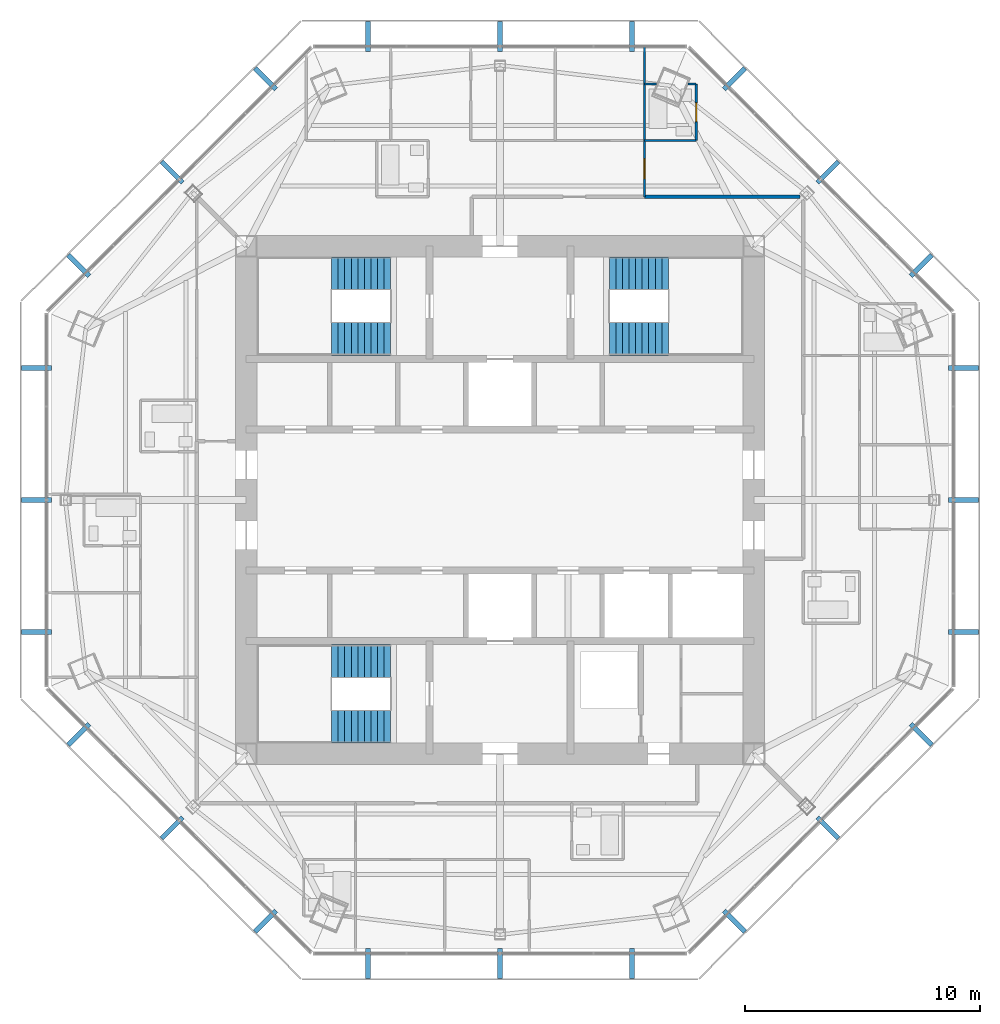
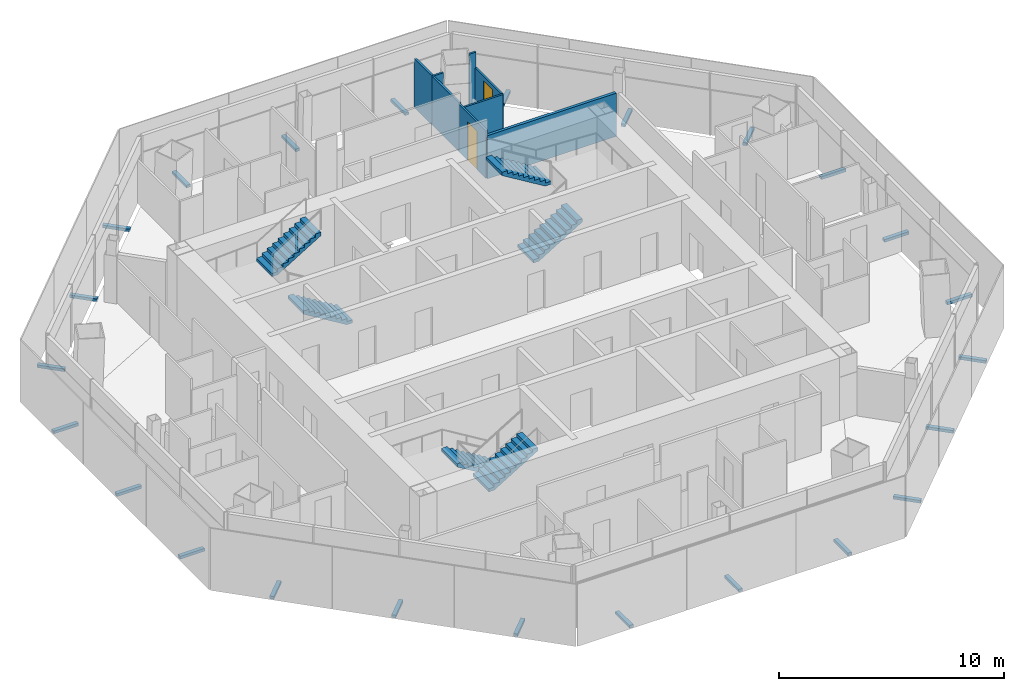
# One storey, part 12 of 15: 24 discrete accessories, 8 walls, 6 stair flights, 2 doors, 2 openings, 3 elements without a shape of their own.
"""IFC4 building model written with IfcOpenShell, lengths in metres."""

from ifc_helpers import new_model, si_unit, direction, frame, frame_2d, origin, origin_2d, place, context, subcontext, project, spatial, polyline, rectangle, outline, extrude, source, transform, mapped, material, layer, layer_set, type_object, type_shapes, element, fill, aggregate, save


model = new_model("IFC4")

# Units and contexts
model_context = context("Model", 3, precision=1e-05, world=origin(), true_north=direction((0.0, 1.0)))
body_context = subcontext(model_context, "Body", "Model", "MODEL_VIEW")
ifc_project = project(units=[si_unit("LENGTHUNIT", "METRE"), si_unit("AREAUNIT", "SQUARE_METRE"), si_unit("VOLUMEUNIT", "CUBIC_METRE"), si_unit("PLANEANGLEUNIT", "RADIAN"), si_unit("MASSUNIT", "GRAM", prefix="KILO")], contexts=[model_context])

# Site, building, storey
site_placement = place(None, origin())
site = spatial("IfcSite", under=ifc_project, at=site_placement, CompositionType="ELEMENT")
building_placement = place(site_placement, origin())
building = spatial("IfcBuilding", under=site, at=building_placement, Name="Mashrafa Tower", CompositionType="ELEMENT")
storey_placement = place(building_placement, frame((0.0, 0.0, 308.199951171875)))
storey = spatial("IfcBuildingStorey", under=building, at=storey_placement, Name="L76", CompositionType="ELEMENT", Elevation=308.199951171875)

# Walls
ifc_material_1 = material(Name="Gypsum board on steel studs", Category="steel")
ifc_layer_1 = layer(ifc_material_1, 0.14990234375)
ifc_layer_set_1 = layer_set([ifc_layer_1], Name="Corridor partition 150 1 hr")
wall_type_1 = type_object("IfcWallType", Name="Corridor partition 150 1 hr", PredefinedType="PARTITIONING", material=ifc_layer_set_1)
wall_1_placement = place(storey_placement, frame((12.7763671875, 12.89990234375, 0.0), z_axis=(0.0, 0.0, 1.0), x_axis=(-1.0, 0.0, 0.0)))
element("IfcWall", 1, at=wall_1_placement, inside=storey, type_object=wall_type_1, Name="Corridor wall L76-006", PredefinedType="PARTITIONING", context=body_context, shape_type="SweptSolid", body=[
    extrude(rectangle(XDim=6.62744140625, YDim=0.14990234375, at=frame_2d((3.313720703125, 0.0))), origin(), (0.0, 0.0, 1.0), 2.349365234375),
])
ifc_material_2 = material(Name="Gypsum board on steel studs", Category="steel")
ifc_layer_2 = layer(ifc_material_2, 0.10009765625)
ifc_layer_set_2 = layer_set([ifc_layer_2], Name="Partition 100")
wall_type_2 = type_object("IfcWallType", Name="Partition 100", PredefinedType="PARTITIONING", material=ifc_layer_set_2)
wall_2_placement = place(storey_placement, frame((6.14990234375, 15.300048828125, 0.0), z_axis=(0.0, 0.0, 1.0), x_axis=(0.0, 1.0, 0.0)))
element("IfcWall", 2, at=wall_2_placement, inside=storey, type_object=wall_type_2, Name="Partition wall L76-057", PredefinedType="PARTITIONING", context=body_context, shape_type="SweptSolid", body=[
    extrude(rectangle(XDim=2.40087890625, YDim=0.10009765625, at=frame_2d((1.200439453125, 0.0))), origin(), (0.0, 0.0, 1.0), 2.65673828125),
])
wall_3_placement = place(storey_placement, frame((6.14990234375, 17.698974609375, 0.0), z_axis=(0.0, 0.0, 1.0), x_axis=(0.0, 1.0, 0.0)))
element("IfcWall", 3, at=wall_3_placement, inside=storey, type_object=wall_type_2, Name="Partition wall L76-058", PredefinedType="PARTITIONING", context=body_context, shape_type="SweptSolid", body=[
    extrude(rectangle(XDim=1.579345703125, YDim=0.10009765625, at=frame_2d((0.78955078125, 0.0))), origin(), (0.0, 0.0, 1.0), 2.664306640625),
])
wall_4_placement = place(storey_placement, frame((6.14990234375, 15.300048828125, 0.0), z_axis=(0.0, 0.0, 1.0), x_axis=(1.0, 0.0, 0.0)))
element("IfcWall", 4, at=wall_4_placement, inside=storey, type_object=wall_type_2, Name="Partition wall L76-060", PredefinedType="PARTITIONING", context=body_context, shape_type="SweptSolid", body=[
    extrude(rectangle(XDim=2.2001953125, YDim=0.10009765625, at=frame_2d((1.10009765625, 0.0))), origin(), (0.0, 0.0, 1.0), 2.349365234375),
])

# Wall, opening, door
wall_5_placement = place(storey_placement, frame((8.35009765625, 15.300048828125, 0.0), z_axis=(0.0, 0.0, 1.0), x_axis=(0.0, 1.0, 0.0)))
wall_5 = element("IfcWall", 5, at=wall_5_placement, inside=storey, type_object=wall_type_2, Name="Partition wall L76-061", PredefinedType="PARTITIONING", context=body_context, shape_type="SweptSolid", body=[
    extrude(rectangle(XDim=2.39990234375, YDim=0.10009765625, at=frame_2d((1.199951171875, 0.0))), origin(), (0.0, 0.0, 1.0), 2.349365234375),
])
opening_1_placement = place(wall_5_placement, frame((0.800048828125, 0.0, 0.0)))
opening_1 = element("IfcOpeningElement", 6, at=opening_1_placement, cuts=wall_5, Name="Opening 76.011", PredefinedType="OPENING", context=body_context, shape_type="SweptSolid", body=[
    extrude(rectangle(XDim=0.800048828125, YDim=2.10009765625, at=frame_2d((0.39990234375, 1.050048828125))), frame((0.0, 0.06005859375, 0.0), z_axis=(0.0, -1.0, 0.0), x_axis=(1.0, 0.0, 0.0)), (0.0, 0.0, 1.0), 0.1201171875),
])
ifc_material_3 = material(Name="Timber door", Category="wood")
door_type_1 = type_object("IfcDoorType", Name="Bathroom door 800 x 2100", OperationType="USERDEFINED", PredefinedType="DOOR", material=ifc_material_3)
door_1_placement = place(opening_1_placement, origin())
door_1 = element("IfcDoor", 7, at=door_1_placement, inside=storey, type_object=door_type_1, Name="Apartment 7602 En-suite Bathroom door", OperationType="SINGLE_SWING_LEFT", OverallHeight=2.10009765625, OverallWidth=0.800048828125, PredefinedType="DOOR", context=body_context, shape_type="SweptSolid", body=[
    extrude(rectangle(XDim=0.800048828125, YDim=2.10009765625, at=frame_2d((0.39990234375, 1.050048828125))), frame((0.0, 0.02490234375, 0.0), z_axis=(0.0, -1.0, 0.0), x_axis=(1.0, 0.0, 0.0)), (0.0, 0.0, 1.0), 0.050048828125),
])
fill(opening_1, door_1)

# Walls
wall_6_placement = place(storey_placement, frame((8.35009765625, 17.699951171875, 0.0), z_axis=(0.0, 0.0, 1.0), x_axis=(-1.0, 0.0, 0.0)))
element("IfcWall", 8, at=wall_6_placement, inside=storey, type_object=wall_type_2, Name="Partition wall L76-062", PredefinedType="PARTITIONING", context=body_context, shape_type="SweptSolid", body=[
    extrude(rectangle(XDim=0.348388671875, YDim=0.10009765625, at=frame_2d((0.17431640625, 0.0))), origin(), (0.0, 0.0, 1.0), 3.199951171875),
])
wall_7_placement = place(storey_placement, frame((6.66162109375, 17.699951171875, 0.0), z_axis=(0.0, 0.0, 1.0), x_axis=(-1.0, 0.0, 0.0)))
element("IfcWall", 9, at=wall_7_placement, inside=storey, type_object=wall_type_2, Name="Partition wall L76-063", PredefinedType="PARTITIONING", context=body_context, shape_type="SweptSolid", body=[
    extrude(rectangle(XDim=0.51171875, YDim=0.10009765625, at=frame_2d((0.255859375, 0.0))), origin(), (0.0, 0.0, 1.0), 2.664306640625),
])

# Wall, opening, door
wall_8_placement = place(storey_placement, frame((6.14990234375, 15.300048828125, 0.0), z_axis=(0.0, 0.0, 1.0), x_axis=(0.0, -1.0, 0.0)))
wall_8 = element("IfcWall", 10, at=wall_8_placement, inside=storey, type_object=wall_type_2, Name="Partition wall L76-064", PredefinedType="PARTITIONING", context=body_context, shape_type="SweptSolid", body=[
    extrude(rectangle(XDim=2.400146484375, YDim=0.10009765625, at=frame_2d((1.2001953125, 0.0))), origin(), (0.0, 0.0, 1.0), 2.588134765625),
])
opening_2_placement = place(wall_8_placement, frame((0.77490234375, 0.0, 0.0)))
opening_2 = element("IfcOpeningElement", 11, at=opening_2_placement, cuts=wall_8, Name="Opening 76.012", PredefinedType="OPENING", context=body_context, shape_type="SweptSolid", body=[
    extrude(rectangle(XDim=0.85009765625, YDim=2.10009765625, at=frame_2d((0.425048828125, 1.050048828125))), frame((0.0, 0.06005859375, 0.0), z_axis=(0.0, -1.0, 0.0), x_axis=(1.0, 0.0, 0.0)), (0.0, 0.0, 1.0), 0.1201171875),
])
ifc_material_4 = material(Name="Timber door", Category="wood")
door_type_2 = type_object("IfcDoorType", Name="Bedroom door 850 x 2100", OperationType="USERDEFINED", PredefinedType="DOOR", material=ifc_material_4)
door_2_placement = place(opening_2_placement, origin())
door_2 = element("IfcDoor", 12, at=door_2_placement, inside=storey, type_object=door_type_2, Name="Apartment 7602 Bedroom 2 door", OperationType="SINGLE_SWING_RIGHT", OverallHeight=2.10009765625, OverallWidth=0.85009765625, PredefinedType="DOOR", context=body_context, shape_type="SweptSolid", body=[
    extrude(rectangle(XDim=0.85009765625, YDim=2.10009765625, at=frame_2d((0.425048828125, 1.050048828125))), frame((0.0, 0.02490234375, 0.0), z_axis=(0.0, -1.0, 0.0), x_axis=(1.0, 0.0, 0.0)), (0.0, 0.0, 1.0), 0.050048828125),
])
fill(opening_2, door_2)

# Stair, stair flights
ifc_material_5 = material(Name="Exit stair 1400")
stair_type = type_object("IfcStairType", Name="Exit stair 1400", PredefinedType="HALF_TURN_STAIR", material=ifc_material_5)
stair_1_placement = place(storey_placement, origin())
stair_1 = element("IfcStair", 13, at=stair_1_placement, inside=storey, type_object=stair_type, Name="Stair S1 L76", PredefinedType="HALF_TURN_STAIR")
ifc_material_6 = material(Name="Concrete C32/40", Category="concrete")
stair_flight_type = type_object("IfcStairFlightType", Name="Stair flight 1400", PredefinedType="STRAIGHT", material=ifc_material_6)
stair_flight_1_placement = place(storey_placement, frame((-4.64990234375, 6.85009765625, 0.0), z_axis=(0.0, 0.0, 1.0), x_axis=(-1.0, 0.0, 0.0)))
stair_flight_1 = element("IfcStairFlight", 14, at=stair_flight_1_placement, type_object=stair_flight_type, Name="S1 flight 1", NumberOfRisers=10, NumberOfTreads=9, PredefinedType="STRAIGHT", RiserHeight=0.17, TreadLength=0.28, context=body_context, shape_type="SweptSolid", body=[
    extrude(outline(polyline([(0.0, 0.0), (0.0, 0.169921875), (0.280029296875, 0.169921875), (0.280029296875, 0.340087890625), (0.56005859375, 0.340087890625), (0.56005859375, 0.510009765625), (0.840087890625, 0.510009765625), (0.840087890625, 0.679931640625), (1.1201171875, 0.679931640625), (1.1201171875, 0.85009765625), (1.39990234375, 0.85009765625), (1.39990234375, 1.02001953125), (1.679931640625, 1.02001953125), (1.679931640625, 1.18994140625), (1.9599609375, 1.18994140625), (1.9599609375, 1.360107421875), (2.239990234375, 1.360107421875), (2.239990234375, 1.530029296875), (2.52001953125, 1.530029296875), (2.52001953125, 1.699951171875), (2.52001953125, 1.354736328125), (0.288818359375, 0.0), (0.0, 0.0)])), frame((0.0, 0.699951171875, 0.0), z_axis=(0.0, -1.0, 0.0), x_axis=(1.0, 0.0, 0.0)), (0.0, 0.0, 1.0), 1.39990234375),
])
stair_flight_2_placement = place(storey_placement, frame((-7.169921875, 9.64990234375, 1.699951171875), z_axis=(0.0, 0.0, 1.0), x_axis=(1.0, 0.0, 0.0)))
stair_flight_2 = element("IfcStairFlight", 15, at=stair_flight_2_placement, type_object=stair_flight_type, Name="S1 flight 2", NumberOfRisers=10, NumberOfTreads=9, PredefinedType="STRAIGHT", RiserHeight=0.17, TreadLength=0.28, context=body_context, shape_type="SweptSolid", body=[
    extrude(outline(polyline([(0.0, 0.0), (0.0, 0.169921875), (0.280029296875, 0.169921875), (0.280029296875, 0.340087890625), (0.56005859375, 0.340087890625), (0.56005859375, 0.510009765625), (0.840087890625, 0.510009765625), (0.840087890625, 0.679931640625), (1.1201171875, 0.679931640625), (1.1201171875, 0.85009765625), (1.39990234375, 0.85009765625), (1.39990234375, 1.02001953125), (1.679931640625, 1.02001953125), (1.679931640625, 1.18994140625), (1.9599609375, 1.18994140625), (1.9599609375, 1.360107421875), (2.239990234375, 1.360107421875), (2.239990234375, 1.530029296875), (2.52001953125, 1.530029296875), (2.52001953125, 1.699951171875), (2.52001953125, 1.354736328125), (0.288818359375, 0.0), (0.0, 0.0)])), frame((0.0, 0.699951171875, 0.0), z_axis=(0.0, -1.0, 0.0), x_axis=(1.0, 0.0, 0.0)), (0.0, 0.0, 1.0), 1.39990234375),
])
aggregate(stair_1, [stair_flight_1, stair_flight_2])

stair_2_placement = place(storey_placement, origin())
stair_2 = element("IfcStair", 16, at=stair_2_placement, inside=storey, type_object=stair_type, Name="Stair S2 L76", PredefinedType="HALF_TURN_STAIR")
stair_flight_3_placement = place(storey_placement, frame((4.64990234375, 6.85009765625, 0.0), z_axis=(0.0, 0.0, 1.0), x_axis=(1.0, 0.0, 0.0)))
stair_flight_3 = element("IfcStairFlight", 17, at=stair_flight_3_placement, type_object=stair_flight_type, Name="S2 flight 1", NumberOfRisers=10, NumberOfTreads=9, PredefinedType="STRAIGHT", RiserHeight=0.17, TreadLength=0.28, context=body_context, shape_type="SweptSolid", body=[
    extrude(outline(polyline([(0.0, 0.0), (0.0, 0.169921875), (0.280029296875, 0.169921875), (0.280029296875, 0.340087890625), (0.56005859375, 0.340087890625), (0.56005859375, 0.510009765625), (0.840087890625, 0.510009765625), (0.840087890625, 0.679931640625), (1.1201171875, 0.679931640625), (1.1201171875, 0.85009765625), (1.39990234375, 0.85009765625), (1.39990234375, 1.02001953125), (1.679931640625, 1.02001953125), (1.679931640625, 1.18994140625), (1.9599609375, 1.18994140625), (1.9599609375, 1.360107421875), (2.239990234375, 1.360107421875), (2.239990234375, 1.530029296875), (2.52001953125, 1.530029296875), (2.52001953125, 1.699951171875), (2.52001953125, 1.354736328125), (0.288818359375, 0.0), (0.0, 0.0)])), frame((0.0, 0.699951171875, 0.0), z_axis=(0.0, -1.0, 0.0), x_axis=(1.0, 0.0, 0.0)), (0.0, 0.0, 1.0), 1.39990234375),
])
stair_flight_4_placement = place(storey_placement, frame((7.169921875, 9.64990234375, 1.699951171875), z_axis=(0.0, 0.0, 1.0), x_axis=(-1.0, 0.0, 0.0)))
stair_flight_4 = element("IfcStairFlight", 18, at=stair_flight_4_placement, type_object=stair_flight_type, Name="S2 flight 2", NumberOfRisers=10, NumberOfTreads=9, PredefinedType="STRAIGHT", RiserHeight=0.17, TreadLength=0.28, context=body_context, shape_type="SweptSolid", body=[
    extrude(outline(polyline([(0.0, 0.0), (0.0, 0.169921875), (0.280029296875, 0.169921875), (0.280029296875, 0.340087890625), (0.56005859375, 0.340087890625), (0.56005859375, 0.510009765625), (0.840087890625, 0.510009765625), (0.840087890625, 0.679931640625), (1.1201171875, 0.679931640625), (1.1201171875, 0.85009765625), (1.39990234375, 0.85009765625), (1.39990234375, 1.02001953125), (1.679931640625, 1.02001953125), (1.679931640625, 1.18994140625), (1.9599609375, 1.18994140625), (1.9599609375, 1.360107421875), (2.239990234375, 1.360107421875), (2.239990234375, 1.530029296875), (2.52001953125, 1.530029296875), (2.52001953125, 1.699951171875), (2.52001953125, 1.354736328125), (0.288818359375, 0.0), (0.0, 0.0)])), frame((0.0, 0.699951171875, 0.0), z_axis=(0.0, -1.0, 0.0), x_axis=(1.0, 0.0, 0.0)), (0.0, 0.0, 1.0), 1.39990234375),
])
aggregate(stair_2, [stair_flight_3, stair_flight_4])

stair_3_placement = place(storey_placement, origin())
stair_3 = element("IfcStair", 19, at=stair_3_placement, inside=storey, type_object=stair_type, Name="Stair S3 L76", PredefinedType="HALF_TURN_STAIR")
stair_flight_5_placement = place(storey_placement, frame((-4.64990234375, -6.85009765625, 0.0), z_axis=(0.0, 0.0, 1.0), x_axis=(-1.0, 0.0, 0.0)))
stair_flight_5 = element("IfcStairFlight", 20, at=stair_flight_5_placement, type_object=stair_flight_type, Name="S3 flight 1", NumberOfRisers=10, NumberOfTreads=9, PredefinedType="STRAIGHT", RiserHeight=0.17, TreadLength=0.28, context=body_context, shape_type="SweptSolid", body=[
    extrude(outline(polyline([(0.0, 0.0), (0.0, 0.169921875), (0.280029296875, 0.169921875), (0.280029296875, 0.340087890625), (0.56005859375, 0.340087890625), (0.56005859375, 0.510009765625), (0.840087890625, 0.510009765625), (0.840087890625, 0.679931640625), (1.1201171875, 0.679931640625), (1.1201171875, 0.85009765625), (1.39990234375, 0.85009765625), (1.39990234375, 1.02001953125), (1.679931640625, 1.02001953125), (1.679931640625, 1.18994140625), (1.9599609375, 1.18994140625), (1.9599609375, 1.360107421875), (2.239990234375, 1.360107421875), (2.239990234375, 1.530029296875), (2.52001953125, 1.530029296875), (2.52001953125, 1.699951171875), (2.52001953125, 1.354736328125), (0.288818359375, 0.0), (0.0, 0.0)])), frame((0.0, 0.699951171875, 0.0), z_axis=(0.0, -1.0, 0.0), x_axis=(1.0, 0.0, 0.0)), (0.0, 0.0, 1.0), 1.39990234375),
])
stair_flight_6_placement = place(storey_placement, frame((-7.169921875, -9.64990234375, 1.699951171875), z_axis=(0.0, 0.0, 1.0), x_axis=(1.0, 0.0, 0.0)))
stair_flight_6 = element("IfcStairFlight", 21, at=stair_flight_6_placement, type_object=stair_flight_type, Name="S3 flight 2", NumberOfRisers=10, NumberOfTreads=9, PredefinedType="STRAIGHT", RiserHeight=0.17, TreadLength=0.28, context=body_context, shape_type="SweptSolid", body=[
    extrude(outline(polyline([(0.0, 0.0), (0.0, 0.169921875), (0.280029296875, 0.169921875), (0.280029296875, 0.340087890625), (0.56005859375, 0.340087890625), (0.56005859375, 0.510009765625), (0.840087890625, 0.510009765625), (0.840087890625, 0.679931640625), (1.1201171875, 0.679931640625), (1.1201171875, 0.85009765625), (1.39990234375, 0.85009765625), (1.39990234375, 1.02001953125), (1.679931640625, 1.02001953125), (1.679931640625, 1.18994140625), (1.9599609375, 1.18994140625), (1.9599609375, 1.360107421875), (2.239990234375, 1.360107421875), (2.239990234375, 1.530029296875), (2.52001953125, 1.530029296875), (2.52001953125, 1.699951171875), (2.52001953125, 1.354736328125), (0.288818359375, 0.0), (0.0, 0.0)])), frame((0.0, 0.699951171875, 0.0), z_axis=(0.0, -1.0, 0.0), x_axis=(1.0, 0.0, 0.0)), (0.0, 0.0, 1.0), 1.39990234375),
])
aggregate(stair_3, [stair_flight_5, stair_flight_6])

# Discrete accessories
ifc_material_7 = material(Name="Stainless steel screen bracket", Category="steel")
discrete_accessory_type = type_object("IfcDiscreteAccessoryType", Name="Screen support bracket 200 x 150", PredefinedType="BRACKET", material=ifc_material_7)
shared_shape = source(origin(), body_context, "Body", "SweptSolid", [
    extrude(rectangle(XDim=0.199951171875, YDim=1.27001953125, at=origin_2d()), origin(), (0.0, 0.0, 1.0), 0.14990234375),
])
type_shapes(discrete_accessory_type, [shared_shape])
for number, where, z_axis, x_axis, name in (
    (22, (19.731201171875, -5.6171875, -0.14990234375), (0.0, 0.0, 1.0), (0.0, 1.0, 0.0), "Screen support bracket L76 east 1"),
    (23, (19.731201171875, 0.0, -0.14990234375), (0.0, 0.0, 1.0), (0.0, 1.0, 0.0), "Screen support bracket L76 east 2"),
    (24, (19.731201171875, 5.6171875, -0.14990234375), (0.0, 0.0, 1.0), (0.0, 1.0, 0.0), "Screen support bracket L76 east 3"),
    (25, (17.924072265625, 9.97998046875, -0.14990234375), (0.0, 0.0, 1.0), (-0.707106781187, 0.707106781187, 0.0), "Screen support bracket L76 north-east 1"),
    (26, (13.9521484375, 13.9521484375, -0.14990234375), (0.0, 0.0, 1.0), (-0.707106781187, 0.707106781187, 0.0), "Screen support bracket L76 north-east 2"),
    (27, (9.97998046875, 17.924072265625, -0.14990234375), (0.0, 0.0, 1.0), (-0.707106781187, 0.707106781187, 0.0), "Screen support bracket L76 north-east 3"),
    (28, (5.6171875, 19.731201171875, -0.14990234375), (0.0, 0.0, 1.0), (-1.0, 0.0, 0.0), "Screen support bracket L76 north 1"),
    (29, (0.0, 19.731201171875, -0.14990234375), (0.0, 0.0, 1.0), (-1.0, 0.0, 0.0), "Screen support bracket L76 north 2"),
    (30, (-5.6171875, 19.731201171875, -0.14990234375), (0.0, 0.0, 1.0), (-1.0, 0.0, 0.0), "Screen support bracket L76 north 3"),
    (31, (-9.97998046875, 17.924072265625, -0.14990234375), (0.0, 0.0, 1.0), (-0.707106781187, -0.707106781187, 0.0), "Screen support bracket L76 north-west 1"),
    (32, (-13.9521484375, 13.9521484375, -0.14990234375), (0.0, 0.0, 1.0), (-0.707106781187, -0.707106781187, 0.0), "Screen support bracket L76 north-west 2"),
    (33, (-17.924072265625, 9.97998046875, -0.14990234375), (0.0, 0.0, 1.0), (-0.707106781187, -0.707106781187, 0.0), "Screen support bracket L76 north-west 3"),
    (34, (-19.731201171875, 5.6171875, -0.14990234375), (0.0, 0.0, 1.0), (0.0, -1.0, 0.0), "Screen support bracket L76 west 1"),
    (35, (-19.731201171875, 0.0, -0.14990234375), (0.0, 0.0, 1.0), (0.0, -1.0, 0.0), "Screen support bracket L76 west 2"),
    (36, (-19.731201171875, -5.6171875, -0.14990234375), (0.0, 0.0, 1.0), (0.0, -1.0, 0.0), "Screen support bracket L76 west 3"),
    (37, (-17.924072265625, -9.97998046875, -0.14990234375), (0.0, 0.0, 1.0), (0.707106781187, -0.707106781187, 0.0), "Screen support bracket L76 south-west 1"),
    (38, (-13.9521484375, -13.9521484375, -0.14990234375), (0.0, 0.0, 1.0), (0.707106781187, -0.707106781187, 0.0), "Screen support bracket L76 south-west 2"),
    (39, (-9.97998046875, -17.924072265625, -0.14990234375), (0.0, 0.0, 1.0), (0.707106781187, -0.707106781187, 0.0), "Screen support bracket L76 south-west 3"),
    (40, (-5.6171875, -19.731201171875, -0.14990234375), (0.0, 0.0, 1.0), (1.0, 0.0, 0.0), "Screen support bracket L76 south 1"),
    (41, (0.0, -19.731201171875, -0.14990234375), (0.0, 0.0, 1.0), (1.0, 0.0, 0.0), "Screen support bracket L76 south 2"),
    (42, (5.6171875, -19.731201171875, -0.14990234375), (0.0, 0.0, 1.0), (1.0, 0.0, 0.0), "Screen support bracket L76 south 3"),
    (43, (9.97998046875, -17.924072265625, -0.14990234375), (0.0, 0.0, 1.0), (0.707106781187, 0.707106781187, 0.0), "Screen support bracket L76 south-east 1"),
    (44, (13.9521484375, -13.9521484375, -0.14990234375), (0.0, 0.0, 1.0), (0.707106781187, 0.707106781187, 0.0), "Screen support bracket L76 south-east 2"),
    (45, (17.924072265625, -9.97998046875, -0.14990234375), (0.0, 0.0, 1.0), (0.707106781187, 0.707106781187, 0.0), "Screen support bracket L76 south-east 3"),
):
    element("IfcDiscreteAccessory", number, at=place(storey_placement, frame(where, z_axis=z_axis, x_axis=x_axis)), inside=storey, type_object=discrete_accessory_type, Name=name, PredefinedType="BRACKET", context=body_context, shape_type="MappedRepresentation", body=[
        mapped(shared_shape, transform((0.0, 0.0, 0.0))),
    ])

save(model, "model.ifc")
